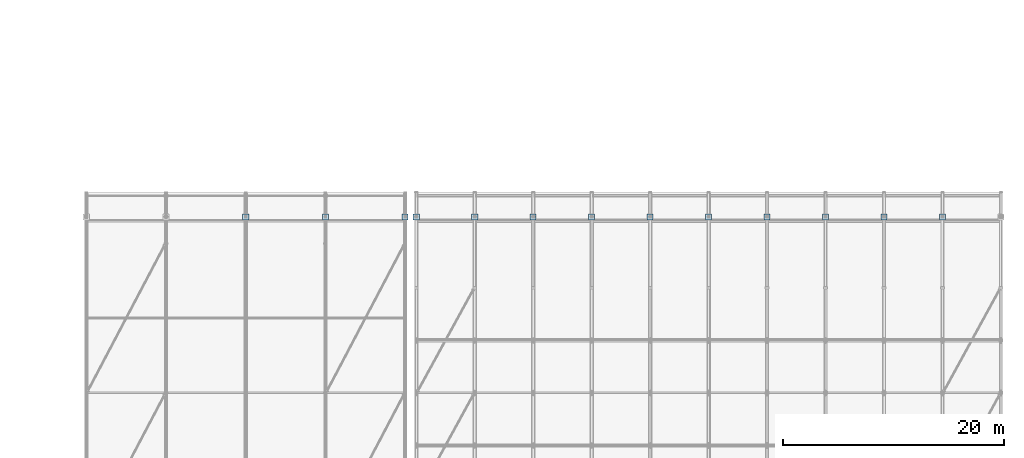
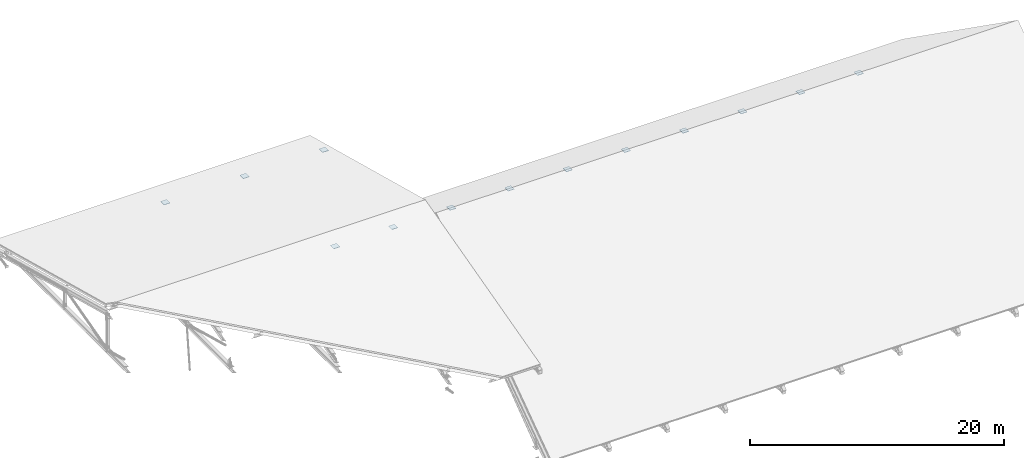
# One storey, part 36 of 57: 13 plates.
"""IFC4 building model written with IfcOpenShell, lengths in metres."""

from ifc_helpers import new_model, si_unit, direction, frame, origin, origin_2d, place, context, subcontext, project, spatial, rectangle, extrude, material, layer, layer_set, type_object, element, save


model = new_model("IFC4")

# Units and contexts
model_context = context("Model", 3, precision=1e-05, world=origin(), true_north=direction((0.0, 1.0)))
body_context = subcontext(model_context, "Body", "Model", "MODEL_VIEW")
ifc_project = project(units=[si_unit("LENGTHUNIT", "METRE"), si_unit("AREAUNIT", "SQUARE_METRE"), si_unit("VOLUMEUNIT", "CUBIC_METRE"), si_unit("PLANEANGLEUNIT", "RADIAN"), si_unit("MASSUNIT", "GRAM", prefix="KILO")], contexts=[model_context])

# Site, building, storey
site_placement = place(None, origin())
site = spatial("IfcSite", under=ifc_project, at=site_placement, CompositionType="ELEMENT")
building_placement = place(site_placement, origin())
building = spatial("IfcBuilding", under=site, at=building_placement, Name="Kelarvand Opera House", CompositionType="ELEMENT")
storey_placement = place(building_placement, frame((0.0, 0.0, 33.60009765625)))
storey = spatial("IfcBuildingStorey", under=building, at=storey_placement, Name="Roof", CompositionType="ELEMENT", Elevation=33.60009765625)

# Plates
ifc_material = material(Name="Steel S355", Category="steel")
ifc_layer = layer(ifc_material, 0.035888671875, Name="Steel S355", Category="steel")
ifc_layer_set = layer_set([ifc_layer], Name="Steel S355")
plate_type = type_object("IfcPlateType", Name="Steel Truss Bearing Base Plate 36mm", PredefinedType="USERDEFINED", material=ifc_layer_set)
for number, where, z_axis, x_axis, name in (
    (1, (89.0, 78.39990234375, -9.60009765625), (0.0, 0.0, 1.0), (1.0, 0.0, 0.0), "V1 Roof Truss Bearing Plate 1N"),
    (2, (94.280029296875, 78.39990234375, -9.60009765625), (0.0, 0.0, 1.0), (1.0, 0.0, 0.0), "V1 Roof Truss Bearing Plate 2N"),
    (3, (99.56005859375, 78.39990234375, -9.60009765625), (0.0, 0.0, 1.0), (1.0, 0.0, 0.0), "V1 Roof Truss Bearing Plate 3N"),
    (4, (104.840087890625, 78.39990234375, -9.60009765625), (0.0, 0.0, 1.0), (1.0, 0.0, 0.0), "V1 Roof Truss Bearing Plate 4N"),
    (5, (110.1201171875, 78.39990234375, -9.60009765625), (0.0, 0.0, 1.0), (1.0, 0.0, 0.0), "V1 Roof Truss Bearing Plate 5N"),
    (6, (115.39990234375, 78.39990234375, -9.60009765625), (0.0, 0.0, 1.0), (1.0, 0.0, 0.0), "V1 Roof Truss Bearing Plate 6N"),
    (7, (120.679931640625, 78.39990234375, -9.60009765625), (0.0, 0.0, 1.0), (1.0, 0.0, 0.0), "V1 Roof Truss Bearing Plate 7N"),
    (8, (125.9599609375, 78.39990234375, -9.60009765625), (0.0, 0.0, 1.0), (1.0, 0.0, 0.0), "V1 Roof Truss Bearing Plate 8N"),
    (9, (131.239990234375, 78.39990234375, -9.60009765625), (0.0, 0.0, 1.0), (1.0, 0.0, 0.0), "V1 Roof Truss Bearing Plate 9N"),
    (10, (136.52001953125, 78.39990234375, -9.60009765625), (0.0, 0.0, 1.0), (1.0, 0.0, 0.0), "V1 Roof Truss Bearing Plate 10N"),
    (11, (73.60009765625, 78.39990234375, 0.0), (0.0, 0.0, 1.0), (1.0, 0.0, 0.0), "V2 Roof Truss Bearing Plate 3N"),
    (12, (80.800048828125, 78.39990234375, 0.0), (0.0, 0.0, 1.0), (1.0, 0.0, 0.0), "V2 Roof Truss Bearing Plate 4N"),
    (13, (88.0, 78.39990234375, 0.0), (0.0, 0.0, 1.0), (1.0, 0.0, 0.0), "V2 Roof Truss Bearing Plate 5N"),
):
    element("IfcPlate", number, at=place(storey_placement, frame(where, z_axis=z_axis, x_axis=x_axis)), inside=storey, type_object=plate_type, Name=name, ObjectType="BASE PLATE", PredefinedType="USERDEFINED", context=body_context, shape_type="SweptSolid", body=[
        extrude(rectangle(XDim=0.550048828125, YDim=0.550048828125, at=origin_2d()), origin(), (0.0, 0.0, 1.0), 0.035888671875),
    ])

save(model, "model.ifc")
